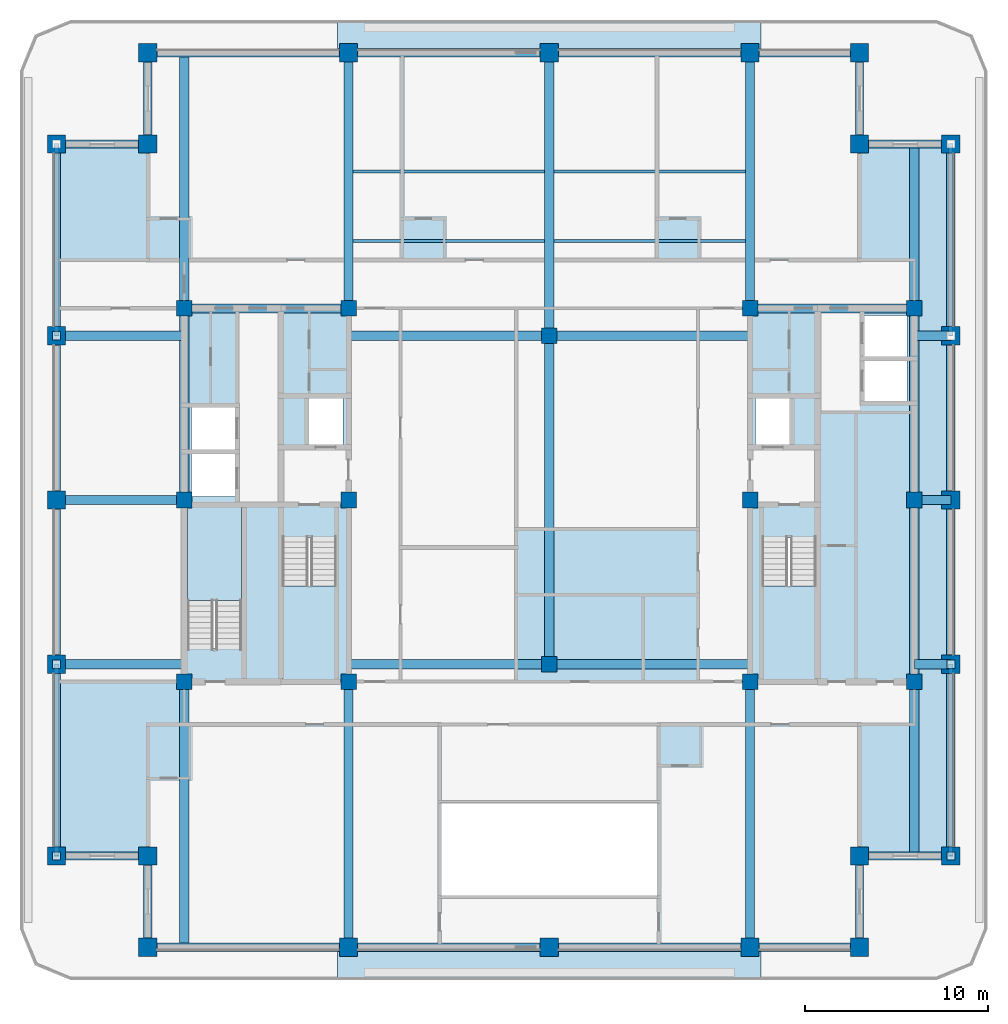
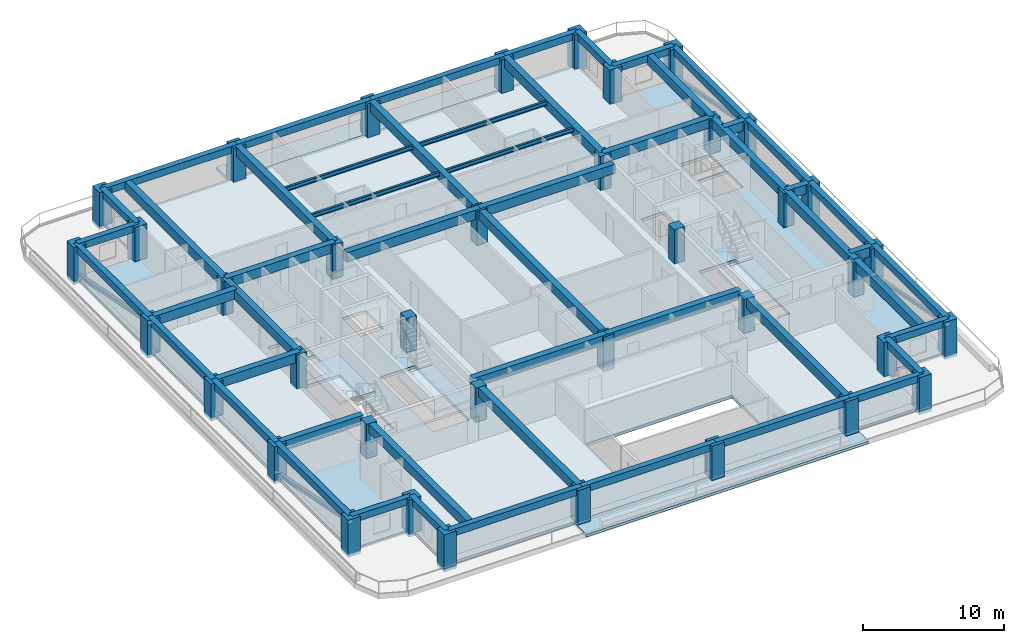
# One storey, part 1 of 13: 53 beams, 38 columns, 6 slabs, 5 plates, 4 members, 3 elements without a shape of their own.
"""IFC4 building model written with IfcOpenShell, lengths in metres."""

import ifcopenshell
import ifcopenshell.guid

model = None  # the IFC model being written
_history = None  # IfcOwnerHistory: only IFC2X3 demands one
_inside = {}  # id of a spatial element -> (the spatial element, [elements in it])
_under = {}  # id of a project, library or spatial element -> (it, [spatial elements below it])
_declared = {}  # id of a project -> (the project, [libraries it declares])
_typed = {}  # id of a type object -> (the type object, [elements of that type])
_made_of = {}  # id of a material, layer set ... -> (it, [elements and type objects made of it])


def new_model(schema):
    """Start an empty IFC model of exactly this schema.

    Asked for "IFC4X3", IfcOpenShell would pick the latest addendum, in which some entities
    have other attributes; the version numbers below select the first issue.
    IFC2X3 requires an IfcOwnerHistory on every rooted entity: one is made here for all.
    """
    global model, _history
    if schema == "IFC4X3":
        model = ifcopenshell.file(schema_version=(4, 3, 0, 0))
    else:
        model = ifcopenshell.file(schema=schema)
    _inside.clear()
    _under.clear()
    _declared.clear()
    _typed.clear()
    _made_of.clear()
    _history = None
    if model.schema == "IFC2X3":
        org = make("IfcOrganization", Name="unknown")
        user = make(
            "IfcPersonAndOrganization",
            ThePerson=make("IfcPerson", FamilyName="unknown"),
            TheOrganization=org,
        )
        app = make(
            "IfcApplication",
            ApplicationDeveloper=org,
            Version="unknown",
            ApplicationFullName="unknown",
            ApplicationIdentifier="unknown",
        )
        _history = make(
            "IfcOwnerHistory",
            OwningUser=user,
            OwningApplication=app,
            ChangeAction="ADDED",
            CreationDate=0,
        )
    return model


def make(cls, **values):
    """One entity of the class cls with the attributes given. An attribute that is None is left unset."""
    return model.create_entity(
        cls, **{name: value for name, value in values.items() if value is not None}
    )


def rooted(cls, **values):
    """An entity with a GlobalId (a new one), such as an element, a storey or a relation."""
    return make(cls, GlobalId=ifcopenshell.guid.new(), OwnerHistory=_history, **values)


def si_unit(unit_type, name, prefix=None):
    """IfcSIUnit, for example si_unit("LENGTHUNIT", "METRE", prefix="MILLI")."""
    return make("IfcSIUnit", UnitType=unit_type, Prefix=prefix, Name=name)


def assignment(units):
    """IfcUnitAssignment: the units of a project."""
    return None if units is None else make("IfcUnitAssignment", Units=units)


def point(xyz):
    """IfcCartesianPoint."""
    return None if xyz is None else make("IfcCartesianPoint", Coordinates=xyz)


def direction(xyz):
    """IfcDirection."""
    return None if xyz is None else make("IfcDirection", DirectionRatios=xyz)


def frame(location, z_axis=None, x_axis=None):
    """IfcAxis2Placement3D, a coordinate frame: its origin and axes. An axis left out is left unset."""
    return make(
        "IfcAxis2Placement3D",
        Location=point(location),
        Axis=direction(z_axis),
        RefDirection=direction(x_axis),
    )


def frame_2d(location, x_axis=None):
    """IfcAxis2Placement2D, a coordinate frame in the plane: its origin and x axis."""
    return make(
        "IfcAxis2Placement2D", Location=point(location), RefDirection=direction(x_axis)
    )


def origin():
    """The frame at (0, 0, 0) with its axes left unset."""
    return frame((0.0, 0.0, 0.0))


def origin_2d():
    """The frame at (0, 0) in the plane with its x axis left unset."""
    return frame_2d((0.0, 0.0))


def place(relative_to, where):
    """IfcLocalPlacement: puts the frame where relative to a parent placement (None: the world)."""
    return make(
        "IfcLocalPlacement", PlacementRelTo=relative_to, RelativePlacement=where
    )


def context(
    kind, dimensions, precision=None, world=None, true_north=None, identifier=None
):
    """IfcGeometricRepresentationContext, for example the 3D "Model" context."""
    return make(
        "IfcGeometricRepresentationContext",
        ContextIdentifier=identifier,
        ContextType=kind,
        CoordinateSpaceDimension=dimensions,
        Precision=precision,
        WorldCoordinateSystem=world,
        TrueNorth=true_north,
    )


def subcontext(parent, identifier, kind, view, scale=None):
    """IfcGeometricRepresentationSubContext, for example "Body" below "Model"."""
    return make(
        "IfcGeometricRepresentationSubContext",
        ContextIdentifier=identifier,
        ContextType=kind,
        ParentContext=parent,
        TargetScale=scale,
        TargetView=view,
    )


def project(units=None, contexts=None):
    """IfcProject with its units and contexts."""
    return rooted(
        "IfcProject",
        Name="project",
        RepresentationContexts=contexts,
        UnitsInContext=assignment(units),
    )


def spatial(cls, under=None, at=None, **own):
    """A site, building, storey or space (cls), placed at a placement, below another one or the project."""
    s = rooted(cls, ObjectPlacement=at, **own)
    if under is not None:
        _under.setdefault(under.id(), (under, []))[1].append(s)
    return s


def polyline(points):
    """IfcPolyline through the points."""
    return make("IfcPolyline", Points=[point(p) for p in points])


def profile(cls, at=None, kind="AREA", **sizes):
    """A parametric profile (cls). Its sizes go by their IFC names, for example OverallWidth=200.0."""
    return make(cls, ProfileType=kind, Position=at, **sizes)


def rectangle(**sizes):
    """IfcRectangleProfileDef."""
    return profile("IfcRectangleProfileDef", **sizes)


def hollow_rectangle(**sizes):
    """IfcRectangleHollowProfileDef."""
    return profile("IfcRectangleHollowProfileDef", **sizes)


def i_section(**sizes):
    """IfcIShapeProfileDef."""
    return profile("IfcIShapeProfileDef", **sizes)


def outline(outer, holes=None, kind="AREA"):
    """IfcArbitraryClosedProfileDef: a profile drawn as a closed curve; with holes, ...WithVoids."""
    if holes is None:
        return make("IfcArbitraryClosedProfileDef", ProfileType=kind, OuterCurve=outer)
    return make(
        "IfcArbitraryProfileDefWithVoids",
        ProfileType=kind,
        OuterCurve=outer,
        InnerCurves=holes,
    )


def extrude(swept, where, along, depth):
    """IfcExtrudedAreaSolid: the profile swept, set in the frame where, extruded along a direction by depth."""
    return make(
        "IfcExtrudedAreaSolid",
        SweptArea=swept,
        Position=where,
        ExtrudedDirection=direction(along),
        Depth=depth,
    )


def shape(context_of_items, identifier, shape_type, items):
    """IfcShapeRepresentation: the items that make up one representation, for example the "Body"."""
    return make(
        "IfcShapeRepresentation",
        ContextOfItems=context_of_items,
        RepresentationIdentifier=identifier,
        RepresentationType=shape_type,
        Items=items,
    )


def material(Name=None, Category=None):
    """IfcMaterial."""
    return make("IfcMaterial", Name=Name, Category=Category)


def layer(
    of_material, thickness, ventilated=None, Name=None, Category=None, Priority=None
):
    """IfcMaterialLayer: one layer of a wall or slab, of a material (None: an air gap)."""
    return make(
        "IfcMaterialLayer",
        Material=of_material,
        LayerThickness=thickness,
        IsVentilated=ventilated,
        Name=Name,
        Category=Category,
        Priority=Priority,
    )


def layer_set(layers, Name=None):
    """IfcMaterialLayerSet."""
    return make("IfcMaterialLayerSet", MaterialLayers=layers, LayerSetName=Name)


def material_profile(
    of_material, cross_section, Name=None, Category=None, Priority=None
):
    """IfcMaterialProfile: a cross section and its material."""
    return make(
        "IfcMaterialProfile",
        Name=Name,
        Material=of_material,
        Profile=cross_section,
        Priority=Priority,
        Category=Category,
    )


def profile_set(profiles, Name=None, composite=None):
    """IfcMaterialProfileSet."""
    return make(
        "IfcMaterialProfileSet",
        Name=Name,
        MaterialProfiles=profiles,
        CompositeProfile=composite,
    )


def made_of(thing, what):
    """Note that an element or type object is made of a material, layer set ...; save() writes the relation."""
    if what is not None:
        _made_of.setdefault(what.id(), (what, []))[1].append(thing)
    return thing


def type_object(cls, material=None, **own):
    """A type object (cls), such as IfcWallType, which elements share."""
    return made_of(rooted(cls, **own), material)


def element(
    cls,
    number,
    at=None,
    inside=None,
    cuts=None,
    type_object=None,
    material=None,
    context=None,
    identifier="Body",
    shape_type=None,
    held_by="IfcProductDefinitionShape",
    body=None,
    shapes=None,
    **own,
):
    """One element of the class cls, such as IfcWall. Its Tag is "e" and its number.

    at: its placement. inside: the storey or other place that contains it. cuts: it is an
    opening in that element (IfcRelVoidsElement). A single representation is given by context,
    identifier, shape_type and body (its items); several are given by shapes. held_by: the class
    of the entity that holds the representations. save() writes the other relations.
    """
    e = rooted(cls, Tag="e%d" % number, ObjectPlacement=at, **own)
    if body is not None:
        shapes = [shape(context, identifier, shape_type, body)]
    if shapes is not None:
        e.Representation = make(held_by, Representations=shapes)
    if inside is not None:
        _inside.setdefault(inside.id(), (inside, []))[1].append(e)
    if cuts is not None:
        rooted(
            "IfcRelVoidsElement", RelatingBuildingElement=cuts, RelatedOpeningElement=e
        )
    if type_object is not None:
        _typed.setdefault(type_object.id(), (type_object, []))[1].append(e)
    return made_of(e, material)


def aggregate(whole, parts):
    """IfcRelAggregates: a whole, such as a stair, and the parts it consists of."""
    return rooted("IfcRelAggregates", RelatingObject=whole, RelatedObjects=parts)


def save(model, path):
    """Write the relations noted so far, then the file.

    IfcRelAggregates (storeys below a building ...), IfcRelContainedInSpatialStructure (elements
    in a storey), IfcRelDefinesByType, IfcRelAssociatesMaterial and IfcRelDeclares: one each for
    every whole, place, type object, material and project.
    """
    for whole, parts in _under.values():
        aggregate(whole, parts)
    for where, things in _inside.values():
        rooted(
            "IfcRelContainedInSpatialStructure",
            RelatedElements=things,
            RelatingStructure=where,
        )
    for kind, things in _typed.values():
        rooted("IfcRelDefinesByType", RelatedObjects=things, RelatingType=kind)
    for what, things in _made_of.values():
        rooted("IfcRelAssociatesMaterial", RelatedObjects=things, RelatingMaterial=what)
    for by, libraries in _declared.values():
        rooted("IfcRelDeclares", RelatingContext=by, RelatedDefinitions=libraries)
    model.write(path)


model = new_model("IFC4")

# Units and contexts
model_context = context("Model", 3, precision=1e-05, world=origin(), true_north=direction((0.0, 1.0)))
body_context = subcontext(model_context, "Body", "Model", "MODEL_VIEW")
ifc_project = project(units=[si_unit("LENGTHUNIT", "METRE"), si_unit("AREAUNIT", "SQUARE_METRE"), si_unit("VOLUMEUNIT", "CUBIC_METRE"), si_unit("PLANEANGLEUNIT", "RADIAN"), si_unit("MASSUNIT", "GRAM", prefix="KILO")], contexts=[model_context])

# Site, building, storey
site_placement = place(None, origin())
site = spatial("IfcSite", under=ifc_project, at=site_placement, CompositionType="ELEMENT")
building_placement = place(site_placement, origin())
building = spatial("IfcBuilding", under=site, at=building_placement, Name="Zulmaris Gate Convention Tower", CompositionType="ELEMENT")
storey_placement = place(building_placement, frame((0.0, 0.0, 218.659912109375)))
storey = spatial("IfcBuildingStorey", under=building, at=storey_placement, Name="L57", CompositionType="ELEMENT", Elevation=218.659912109375)

# Columns
ifc_material_1 = material(Name="Concrete C60/75", Category="concrete")
ifc_material_profile_1 = material_profile(ifc_material_1, rectangle(XDim=1.0, YDim=1.0, at=origin_2d()), Name="RC COL 1000x1000")
ifc_profile_set_1 = profile_set([ifc_material_profile_1], Name="Concrete C60/75")
column_type_1 = type_object("IfcColumnType", Name="COL-RC1000", PredefinedType="COLUMN", material=ifc_profile_set_1)
for number, where, z_axis, x_axis, name in (
    (1, (-22.0, -24.5, -0.25), (0.0, 0.0, 1.0), (1.0, 0.0, 0.0), "L57 Column PT--22.00_-24.50"),
    (2, (-11.0, -24.5, -0.25), (0.0, 0.0, 1.0), (1.0, 0.0, 0.0), "L57 Column PT--11.00_-24.50"),
    (3, (0.0, -24.5, -0.25), (0.0, 0.0, 1.0), (1.0, 0.0, 0.0), "L57 Column PT-+0.00_-24.50"),
    (4, (11.0, -24.5, -0.25), (0.0, 0.0, 1.0), (1.0, 0.0, 0.0), "L57 Column PT-+11.00_-24.50"),
    (5, (17.0, -24.5, -0.25), (0.0, 0.0, 1.0), (1.0, 0.0, 0.0), "L57 Column PT-+17.00_-24.50"),
    (6, (-22.0, 24.5, -0.25), (0.0, 0.0, 1.0), (1.0, 0.0, 0.0), "L57 Column PT--22.00_+24.50"),
    (7, (-11.0, 24.5, -0.25), (0.0, 0.0, 1.0), (1.0, 0.0, 0.0), "L57 Column PT--11.00_+24.50"),
    (8, (0.0, 24.5, -0.25), (0.0, 0.0, 1.0), (1.0, 0.0, 0.0), "L57 Column PT-+0.00_+24.50"),
    (9, (11.0, 24.5, -0.25), (0.0, 0.0, 1.0), (1.0, 0.0, 0.0), "L57 Column PT-+11.00_+24.50"),
    (10, (17.0, 24.5, -0.25), (0.0, 0.0, 1.0), (1.0, 0.0, 0.0), "L57 Column PT-+17.00_+24.50"),
    (11, (-27.0, -19.5, -0.25), (0.0, 0.0, 1.0), (1.0, 0.0, 0.0), "L57 Column PT--27.00_-19.50"),
    (12, (-27.0, -9.0, -0.25), (0.0, 0.0, 1.0), (1.0, 0.0, 0.0), "L57 Column PT--27.00_-9.00"),
    (13, (-27.0, 0.0, -0.25), (0.0, 0.0, 1.0), (1.0, 0.0, 0.0), "L57 Column PT--27.00_+0.00"),
    (14, (-27.0, 9.0, -0.25), (0.0, 0.0, 1.0), (1.0, 0.0, 0.0), "L57 Column PT--27.00_+9.00"),
    (15, (-27.0, 19.5, -0.25), (0.0, 0.0, 1.0), (1.0, 0.0, 0.0), "L57 Column PT--27.00_+19.50"),
    (16, (22.0, -19.5, -0.25), (0.0, 0.0, 1.0), (1.0, 0.0, 0.0), "L57 Column PT-+22.00_-19.50"),
    (17, (22.0, -9.0, -0.25), (0.0, 0.0, 1.0), (1.0, 0.0, 0.0), "L57 Column PT-+22.00_-9.00"),
    (18, (22.0, 0.0, -0.25), (0.0, 0.0, 1.0), (1.0, 0.0, 0.0), "L57 Column PT-+22.00_+0.00"),
    (19, (22.0, 9.0, -0.25), (0.0, 0.0, 1.0), (1.0, 0.0, 0.0), "L57 Column PT-+22.00_+9.00"),
    (20, (22.0, 19.5, -0.25), (0.0, 0.0, 1.0), (1.0, 0.0, 0.0), "L57 Column PT-+22.00_+19.50"),
    (21, (-22.0, -19.5, -0.25), (0.0, 0.0, 1.0), (1.0, 0.0, 0.0), "L57 Column PT--22.00_-19.50"),
    (22, (17.0, -19.5, -0.25), (0.0, 0.0, 1.0), (1.0, 0.0, 0.0), "L57 Column PT-+17.00_-19.50"),
    (23, (17.0, 19.5, -0.25), (0.0, 0.0, 1.0), (1.0, 0.0, 0.0), "L57 Column PT-+17.00_+19.50"),
    (24, (-22.0, 19.5, -0.25), (0.0, 0.0, 1.0), (1.0, 0.0, 0.0), "L57 Column PT--22.00_+19.50"),
):
    element("IfcColumn", number, at=place(storey_placement, frame(where, z_axis=z_axis, x_axis=x_axis)), inside=storey, type_object=column_type_1, Name=name, PredefinedType="COLUMN", context=body_context, shape_type="SweptSolid", body=[
        extrude(rectangle(XDim=1.0, YDim=1.0, at=origin_2d()), origin(), (0.0, 0.0, 1.0), 3.22509765625),
    ])
ifc_material_profile_2 = material_profile(ifc_material_1, rectangle(XDim=0.85009765625, YDim=0.85009765625, at=origin_2d()), Name="RC COL 850x850")
ifc_profile_set_2 = profile_set([ifc_material_profile_2], Name="Concrete C60/75")
column_type_2 = type_object("IfcColumnType", Name="COL-RC850", PredefinedType="COLUMN", material=ifc_profile_set_2)
for number, where, z_axis, x_axis, name in (
    (25, (-20.0, -9.949951171875, -0.25), (0.0, 0.0, 1.0), (1.0, 0.0, 0.0), "L57 Column IN--20.00_-9.95"),
    (26, (-20.0, 10.5, -0.25), (0.0, 0.0, 1.0), (1.0, 0.0, 0.0), "L57 Column IN--20.00_+10.50"),
    (27, (-11.0, -9.949951171875, -0.25), (0.0, 0.0, 1.0), (1.0, 0.0, 0.0), "L57 Column IN--11.00_-9.95"),
    (28, (-11.0, 0.0, -0.25), (0.0, 0.0, 1.0), (1.0, 0.0, 0.0), "L57 Column IN--11.00_+0.00"),
    (29, (-11.0, 10.5, -0.25), (0.0, 0.0, 1.0), (1.0, 0.0, 0.0), "L57 Column IN--11.00_+10.50"),
    (30, (11.0, -9.949951171875, -0.25), (0.0, 0.0, 1.0), (1.0, 0.0, 0.0), "L57 Column IN-+11.00_-9.95"),
    (31, (11.0, 0.0, -0.25), (0.0, 0.0, 1.0), (1.0, 0.0, 0.0), "L57 Column IN-+11.00_+0.00"),
    (32, (11.0, 10.5, -0.25), (0.0, 0.0, 1.0), (1.0, 0.0, 0.0), "L57 Column IN-+11.00_+10.50"),
    (33, (20.0, -9.949951171875, -0.25), (0.0, 0.0, 1.0), (1.0, 0.0, 0.0), "L57 Column IN-+20.00_-9.95"),
    (34, (20.0, 10.5, -0.25), (0.0, 0.0, 1.0), (1.0, 0.0, 0.0), "L57 Column IN-+20.00_+10.50"),
    (35, (0.0, -9.0, -0.25), (0.0, 0.0, 1.0), (1.0, 0.0, 0.0), "L57 Column IN-+0.00_-9.00"),
    (36, (0.0, 9.0, -0.25), (0.0, 0.0, 1.0), (1.0, 0.0, 0.0), "L57 Column IN-+0.00_+9.00"),
    (37, (-20.0, 0.0, -0.25), (0.0, 0.0, 1.0), (1.0, 0.0, 0.0), "L57 Column IN--20.00_+0.00"),
    (38, (20.0, 0.0, -0.25), (0.0, 0.0, 1.0), (1.0, 0.0, 0.0), "L57 Column IN-+20.00_+0.00"),
):
    element("IfcColumn", number, at=place(storey_placement, frame(where, z_axis=z_axis, x_axis=x_axis)), inside=storey, type_object=column_type_2, Name=name, PredefinedType="COLUMN", context=body_context, shape_type="SweptSolid", body=[
        extrude(rectangle(XDim=0.85009765625, YDim=0.85009765625, at=origin_2d()), origin(), (0.0, 0.0, 1.0), 3.22509765625),
    ])

# Beams
ifc_material_2 = material(Name="Concrete C50/60", Category="concrete")
ifc_material_profile_3 = material_profile(ifc_material_2, rectangle(XDim=0.5, YDim=0.800048828125, at=origin_2d()), Name="RC BEAM 500x800")
ifc_profile_set_3 = profile_set([ifc_material_profile_3], Name="Concrete C50/60")
beam_type_1 = type_object("IfcBeamType", Name="BM-RC500x800", PredefinedType="BEAM", material=ifc_profile_set_3)
for number, where, z_axis, x_axis, name in (
    (39, (-11.0, -9.0, 2.5751953125), (1.0, 0.0, 0.0), (0.0, 1.0, 0.0), "L57 Beam BM-L57-G01"),
    (40, (0.0, -9.0, 2.5751953125), (1.0, 0.0, 0.0), (0.0, 1.0, 0.0), "L57 Beam BM-L57-G02"),
    (41, (-11.0, 9.0, 2.5751953125), (1.0, 0.0, 0.0), (0.0, 1.0, 0.0), "L57 Beam BM-L57-G03"),
    (42, (0.0, 9.0, 2.5751953125), (1.0, 0.0, 0.0), (0.0, 1.0, 0.0), "L57 Beam BM-L57-G04"),
):
    element("IfcBeam", number, at=place(storey_placement, frame(where, z_axis=z_axis, x_axis=x_axis)), inside=storey, type_object=beam_type_1, Name=name, PredefinedType="BEAM", context=body_context, shape_type="SweptSolid", body=[
        extrude(rectangle(XDim=0.5, YDim=0.800048828125, at=origin_2d()), origin(), (0.0, 0.0, 1.0), 11.0),
    ])
beam_1_placement = place(storey_placement, frame((0.0, -9.0, 2.5751953125), z_axis=(0.0, 1.0, 0.0), x_axis=(-1.0, 0.0, 0.0)))
element("IfcBeam", 43, at=beam_1_placement, inside=storey, type_object=beam_type_1, Name="L57 Beam BM-L57-G06", PredefinedType="BEAM", context=body_context, shape_type="SweptSolid", body=[
    extrude(rectangle(XDim=0.5, YDim=0.800048828125, at=origin_2d()), origin(), (0.0, 0.0, 1.0), 18.0),
])
beam_2_placement = place(storey_placement, frame((0.0, 9.0, 2.5751953125), z_axis=(0.0, 1.0, 0.0), x_axis=(-1.0, 0.0, 0.0)))
element("IfcBeam", 44, at=beam_2_placement, inside=storey, type_object=beam_type_1, Name="L57 Beam BM-L57-G07", PredefinedType="BEAM", context=body_context, shape_type="SweptSolid", body=[
    extrude(rectangle(XDim=0.5, YDim=0.800048828125, at=origin_2d()), origin(), (0.0, 0.0, 1.0), 15.5),
])
beam_3_placement = place(storey_placement, frame((-11.0, -24.5, 2.5751953125), z_axis=(0.0, 1.0, 0.0), x_axis=(-1.0, 0.0, 0.0)))
element("IfcBeam", 45, at=beam_3_placement, inside=storey, type_object=beam_type_1, Name="L57 Beam BM-L57-G08", PredefinedType="BEAM", context=body_context, shape_type="SweptSolid", body=[
    extrude(rectangle(XDim=0.5, YDim=0.800048828125, at=origin_2d()), origin(), (0.0, 0.0, 1.0), 14.550048828125),
])
beam_4_placement = place(storey_placement, frame((-11.0, 10.5, 2.5751953125), z_axis=(0.0, 1.0, 0.0), x_axis=(-1.0, 0.0, 0.0)))
element("IfcBeam", 46, at=beam_4_placement, inside=storey, type_object=beam_type_1, Name="L57 Beam BM-L57-G09", PredefinedType="BEAM", context=body_context, shape_type="SweptSolid", body=[
    extrude(rectangle(XDim=0.5, YDim=0.800048828125, at=origin_2d()), origin(), (0.0, 0.0, 1.0), 14.0),
])
beam_5_placement = place(storey_placement, frame((11.0, -24.5, 2.5751953125), z_axis=(0.0, 1.0, 0.0), x_axis=(-1.0, 0.0, 0.0)))
element("IfcBeam", 47, at=beam_5_placement, inside=storey, type_object=beam_type_1, Name="L57 Beam BM-L57-G10", PredefinedType="BEAM", context=body_context, shape_type="SweptSolid", body=[
    extrude(rectangle(XDim=0.5, YDim=0.800048828125, at=origin_2d()), origin(), (0.0, 0.0, 1.0), 14.550048828125),
])
beam_6_placement = place(storey_placement, frame((11.0, 10.5, 2.5751953125), z_axis=(0.0, 1.0, 0.0), x_axis=(-1.0, 0.0, 0.0)))
element("IfcBeam", 48, at=beam_6_placement, inside=storey, type_object=beam_type_1, Name="L57 Beam BM-L57-G11", PredefinedType="BEAM", context=body_context, shape_type="SweptSolid", body=[
    extrude(rectangle(XDim=0.5, YDim=0.800048828125, at=origin_2d()), origin(), (0.0, 0.0, 1.0), 14.0),
])
beam_7_placement = place(storey_placement, frame((-20.0, -24.5, 2.5751953125), z_axis=(0.0, 1.0, 0.0), x_axis=(-1.0, 0.0, 0.0)))
element("IfcBeam", 49, at=beam_7_placement, inside=storey, type_object=beam_type_1, Name="L57 Beam BM-L57-G12", PredefinedType="BEAM", context=body_context, shape_type="SweptSolid", body=[
    extrude(rectangle(XDim=0.5, YDim=0.800048828125, at=origin_2d()), origin(), (0.0, 0.0, 1.0), 14.550048828125),
])
beam_8_placement = place(storey_placement, frame((-20.0, 10.5, 2.5751953125), z_axis=(0.0, 1.0, 0.0), x_axis=(-1.0, 0.0, 0.0)))
element("IfcBeam", 50, at=beam_8_placement, inside=storey, type_object=beam_type_1, Name="L57 Beam BM-L57-G13", PredefinedType="BEAM", context=body_context, shape_type="SweptSolid", body=[
    extrude(rectangle(XDim=0.5, YDim=0.800048828125, at=origin_2d()), origin(), (0.0, 0.0, 1.0), 14.0),
])
beam_9_placement = place(storey_placement, frame((20.0, -19.5, 2.5751953125), z_axis=(0.0, 1.0, 0.0), x_axis=(-1.0, 0.0, 0.0)))
element("IfcBeam", 51, at=beam_9_placement, inside=storey, type_object=beam_type_1, Name="L57 Beam BM-L57-G14", PredefinedType="BEAM", context=body_context, shape_type="SweptSolid", body=[
    extrude(rectangle(XDim=0.5, YDim=0.800048828125, at=origin_2d()), origin(), (0.0, 0.0, 1.0), 9.550048828125),
])
beam_10_placement = place(storey_placement, frame((20.0, 10.5, 2.5751953125), z_axis=(0.0, 1.0, 0.0), x_axis=(-1.0, 0.0, 0.0)))
element("IfcBeam", 52, at=beam_10_placement, inside=storey, type_object=beam_type_1, Name="L57 Beam BM-L57-G15", PredefinedType="BEAM", context=body_context, shape_type="SweptSolid", body=[
    extrude(rectangle(XDim=0.5, YDim=0.800048828125, at=origin_2d()), origin(), (0.0, 0.0, 1.0), 9.0),
])
for number, where, z_axis, x_axis, name in (
    (53, (-27.0, -9.0, 2.5751953125), (1.0, 0.0, 0.0), (0.0, 1.0, 0.0), "L57 Beam BM-L57-G16"),
    (54, (-27.0, 0.0, 2.5751953125), (1.0, 0.0, 0.0), (0.0, 1.0, 0.0), "L57 Beam BM-L57-G17"),
    (55, (-27.0, 9.0, 2.5751953125), (1.0, 0.0, 0.0), (0.0, 1.0, 0.0), "L57 Beam BM-L57-G18"),
):
    element("IfcBeam", number, at=place(storey_placement, frame(where, z_axis=z_axis, x_axis=x_axis)), inside=storey, type_object=beam_type_1, Name=name, PredefinedType="BEAM", context=body_context, shape_type="SweptSolid", body=[
        extrude(rectangle(XDim=0.5, YDim=0.800048828125, at=origin_2d()), origin(), (0.0, 0.0, 1.0), 7.0),
    ])
for number, where, z_axis, x_axis, name in (
    (56, (20.0, -9.0, 2.5751953125), (1.0, 0.0, 0.0), (0.0, 1.0, 0.0), "L57 Beam BM-L57-G19"),
    (57, (20.0, 0.0, 2.5751953125), (1.0, 0.0, 0.0), (0.0, 1.0, 0.0), "L57 Beam BM-L57-G20"),
    (58, (20.0, 9.0, 2.5751953125), (1.0, 0.0, 0.0), (0.0, 1.0, 0.0), "L57 Beam BM-L57-G21"),
):
    element("IfcBeam", number, at=place(storey_placement, frame(where, z_axis=z_axis, x_axis=x_axis)), inside=storey, type_object=beam_type_1, Name=name, PredefinedType="BEAM", context=body_context, shape_type="SweptSolid", body=[
        extrude(rectangle(XDim=0.5, YDim=0.800048828125, at=origin_2d()), origin(), (0.0, 0.0, 1.0), 2.0),
    ])
for number, where, z_axis, x_axis, name in (
    (59, (-20.0, 10.5, 2.5751953125), (1.0, 0.0, 0.0), (0.0, 1.0, 0.0), "L57 Beam BM-L57-G23"),
    (60, (11.0, 10.5, 2.5751953125), (1.0, 0.0, 0.0), (0.0, 1.0, 0.0), "L57 Beam BM-L57-G25"),
):
    element("IfcBeam", number, at=place(storey_placement, frame(where, z_axis=z_axis, x_axis=x_axis)), inside=storey, type_object=beam_type_1, Name=name, PredefinedType="BEAM", context=body_context, shape_type="SweptSolid", body=[
        extrude(rectangle(XDim=0.5, YDim=0.800048828125, at=origin_2d()), origin(), (0.0, 0.0, 1.0), 9.0),
    ])
beam_11_placement = place(storey_placement, frame((-20.0, 0.0, 2.5751953125), z_axis=(0.0, 1.0, 0.0), x_axis=(-1.0, 0.0, 0.0)))
element("IfcBeam", 61, at=beam_11_placement, inside=storey, type_object=beam_type_1, Name="L57 Beam BM-L57-G27", PredefinedType="BEAM", context=body_context, shape_type="SweptSolid", body=[
    extrude(rectangle(XDim=0.5, YDim=0.800048828125, at=origin_2d()), origin(), (0.0, 0.0, 1.0), 10.5),
])
beam_12_placement = place(storey_placement, frame((20.0, -9.949951171875, 2.5751953125), z_axis=(0.0, 1.0, 0.0), x_axis=(-1.0, 0.0, 0.0)))
element("IfcBeam", 62, at=beam_12_placement, inside=storey, type_object=beam_type_1, Name="L57 Beam BM-L57-G28", PredefinedType="BEAM", context=body_context, shape_type="SweptSolid", body=[
    extrude(rectangle(XDim=0.5, YDim=0.800048828125, at=origin_2d()), origin(), (0.0, 0.0, 1.0), 9.949951171875),
])
beam_13_placement = place(storey_placement, frame((20.0, 0.0, 2.5751953125), z_axis=(0.0, 1.0, 0.0), x_axis=(-1.0, 0.0, 0.0)))
element("IfcBeam", 63, at=beam_13_placement, inside=storey, type_object=beam_type_1, Name="L57 Beam BM-L57-G29", PredefinedType="BEAM", context=body_context, shape_type="SweptSolid", body=[
    extrude(rectangle(XDim=0.5, YDim=0.800048828125, at=origin_2d()), origin(), (0.0, 0.0, 1.0), 10.5),
])
ifc_material_3 = material(Name="Precast concrete C50/60", Category="concrete")
ifc_material_profile_4 = material_profile(ifc_material_3, rectangle(XDim=0.449951171875, YDim=0.60009765625, at=origin_2d()), Name="RC SPANDREL 450x600")
ifc_profile_set_4 = profile_set([ifc_material_profile_4], Name="Precast concrete C50/60")
beam_type_2 = type_object("IfcBeamType", Name="BM-SP450x600", PredefinedType="SPANDREL", material=ifc_profile_set_4)
for number, where, z_axis, x_axis, name in (
    (64, (-22.0, -24.5, 2.67529296875), (1.0, 0.0, 0.0), (0.0, 1.0, 0.0), "L57 Spandrel SP-L57-01"),
    (65, (-11.0, -24.5, 2.67529296875), (1.0, 0.0, 0.0), (0.0, 1.0, 0.0), "L57 Spandrel SP-L57-02"),
    (66, (0.0, -24.5, 2.67529296875), (1.0, 0.0, 0.0), (0.0, 1.0, 0.0), "L57 Spandrel SP-L57-03"),
):
    element("IfcBeam", number, at=place(storey_placement, frame(where, z_axis=z_axis, x_axis=x_axis)), inside=storey, type_object=beam_type_2, Name=name, PredefinedType="SPANDREL", context=body_context, shape_type="SweptSolid", body=[
        extrude(rectangle(XDim=0.449951171875, YDim=0.60009765625, at=origin_2d()), origin(), (0.0, 0.0, 1.0), 11.0),
    ])
beam_14_placement = place(storey_placement, frame((11.0, -24.5, 2.67529296875), z_axis=(1.0, 0.0, 0.0), x_axis=(0.0, 1.0, 0.0)))
element("IfcBeam", 67, at=beam_14_placement, inside=storey, type_object=beam_type_2, Name="L57 Spandrel SP-L57-04", PredefinedType="SPANDREL", context=body_context, shape_type="SweptSolid", body=[
    extrude(rectangle(XDim=0.449951171875, YDim=0.60009765625, at=origin_2d()), origin(), (0.0, 0.0, 1.0), 6.0),
])
for number, where, z_axis, x_axis, name in (
    (68, (17.0, -24.5, 2.67529296875), (0.0, 1.0, 0.0), (-1.0, 0.0, 0.0), "L57 Spandrel SP-L57-05"),
    (69, (17.0, -19.5, 2.67529296875), (1.0, 0.0, 0.0), (0.0, 1.0, 0.0), "L57 Spandrel SP-L57-06"),
):
    element("IfcBeam", number, at=place(storey_placement, frame(where, z_axis=z_axis, x_axis=x_axis)), inside=storey, type_object=beam_type_2, Name=name, PredefinedType="SPANDREL", context=body_context, shape_type="SweptSolid", body=[
        extrude(rectangle(XDim=0.449951171875, YDim=0.60009765625, at=origin_2d()), origin(), (0.0, 0.0, 1.0), 5.0),
    ])
beam_15_placement = place(storey_placement, frame((22.0, -19.5, 2.67529296875), z_axis=(0.0, 1.0, 0.0), x_axis=(-1.0, 0.0, 0.0)))
element("IfcBeam", 70, at=beam_15_placement, inside=storey, type_object=beam_type_2, Name="L57 Spandrel SP-L57-07", PredefinedType="SPANDREL", context=body_context, shape_type="SweptSolid", body=[
    extrude(rectangle(XDim=0.449951171875, YDim=0.60009765625, at=origin_2d()), origin(), (0.0, 0.0, 1.0), 10.5),
])
for number, where, z_axis, x_axis, name in (
    (71, (22.0, -9.0, 2.67529296875), (0.0, 1.0, 0.0), (-1.0, 0.0, 0.0), "L57 Spandrel SP-L57-08"),
    (72, (22.0, 0.0, 2.67529296875), (0.0, 1.0, 0.0), (-1.0, 0.0, 0.0), "L57 Spandrel SP-L57-09"),
):
    element("IfcBeam", number, at=place(storey_placement, frame(where, z_axis=z_axis, x_axis=x_axis)), inside=storey, type_object=beam_type_2, Name=name, PredefinedType="SPANDREL", context=body_context, shape_type="SweptSolid", body=[
        extrude(rectangle(XDim=0.449951171875, YDim=0.60009765625, at=origin_2d()), origin(), (0.0, 0.0, 1.0), 9.0),
    ])
beam_16_placement = place(storey_placement, frame((22.0, 9.0, 2.67529296875), z_axis=(0.0, 1.0, 0.0), x_axis=(-1.0, 0.0, 0.0)))
element("IfcBeam", 73, at=beam_16_placement, inside=storey, type_object=beam_type_2, Name="L57 Spandrel SP-L57-10", PredefinedType="SPANDREL", context=body_context, shape_type="SweptSolid", body=[
    extrude(rectangle(XDim=0.449951171875, YDim=0.60009765625, at=origin_2d()), origin(), (0.0, 0.0, 1.0), 10.5),
])
for number, where, z_axis, x_axis, name in (
    (74, (22.0, 19.5, 2.67529296875), (-1.0, 0.0, 0.0), (0.0, -1.0, 0.0), "L57 Spandrel SP-L57-11"),
    (75, (17.0, 19.5, 2.67529296875), (0.0, 1.0, 0.0), (-1.0, 0.0, 0.0), "L57 Spandrel SP-L57-12"),
):
    element("IfcBeam", number, at=place(storey_placement, frame(where, z_axis=z_axis, x_axis=x_axis)), inside=storey, type_object=beam_type_2, Name=name, PredefinedType="SPANDREL", context=body_context, shape_type="SweptSolid", body=[
        extrude(rectangle(XDim=0.449951171875, YDim=0.60009765625, at=origin_2d()), origin(), (0.0, 0.0, 1.0), 5.0),
    ])
beam_17_placement = place(storey_placement, frame((17.0, 24.5, 2.67529296875), z_axis=(-1.0, 0.0, 0.0), x_axis=(0.0, -1.0, 0.0)))
element("IfcBeam", 76, at=beam_17_placement, inside=storey, type_object=beam_type_2, Name="L57 Spandrel SP-L57-13", PredefinedType="SPANDREL", context=body_context, shape_type="SweptSolid", body=[
    extrude(rectangle(XDim=0.449951171875, YDim=0.60009765625, at=origin_2d()), origin(), (0.0, 0.0, 1.0), 6.0),
])
for number, where, z_axis, x_axis, name in (
    (77, (11.0, 24.5, 2.67529296875), (-1.0, 0.0, 0.0), (0.0, -1.0, 0.0), "L57 Spandrel SP-L57-14"),
    (78, (0.0, 24.5, 2.67529296875), (-1.0, 0.0, 0.0), (0.0, -1.0, 0.0), "L57 Spandrel SP-L57-15"),
    (79, (-11.0, 24.5, 2.67529296875), (-1.0, 0.0, 0.0), (0.0, -1.0, 0.0), "L57 Spandrel SP-L57-16"),
):
    element("IfcBeam", number, at=place(storey_placement, frame(where, z_axis=z_axis, x_axis=x_axis)), inside=storey, type_object=beam_type_2, Name=name, PredefinedType="SPANDREL", context=body_context, shape_type="SweptSolid", body=[
        extrude(rectangle(XDim=0.449951171875, YDim=0.60009765625, at=origin_2d()), origin(), (0.0, 0.0, 1.0), 11.0),
    ])
for number, where, z_axis, x_axis, name in (
    (80, (-22.0, 24.5, 2.67529296875), (0.0, -1.0, 0.0), (1.0, 0.0, 0.0), "L57 Spandrel SP-L57-17"),
    (81, (-22.0, 19.5, 2.67529296875), (-1.0, 0.0, 0.0), (0.0, -1.0, 0.0), "L57 Spandrel SP-L57-18"),
):
    element("IfcBeam", number, at=place(storey_placement, frame(where, z_axis=z_axis, x_axis=x_axis)), inside=storey, type_object=beam_type_2, Name=name, PredefinedType="SPANDREL", context=body_context, shape_type="SweptSolid", body=[
        extrude(rectangle(XDim=0.449951171875, YDim=0.60009765625, at=origin_2d()), origin(), (0.0, 0.0, 1.0), 5.0),
    ])
beam_18_placement = place(storey_placement, frame((-27.0, 19.5, 2.67529296875), z_axis=(0.0, -1.0, 0.0), x_axis=(1.0, 0.0, 0.0)))
element("IfcBeam", 82, at=beam_18_placement, inside=storey, type_object=beam_type_2, Name="L57 Spandrel SP-L57-19", PredefinedType="SPANDREL", context=body_context, shape_type="SweptSolid", body=[
    extrude(rectangle(XDim=0.449951171875, YDim=0.60009765625, at=origin_2d()), origin(), (0.0, 0.0, 1.0), 10.5),
])
for number, where, z_axis, x_axis, name in (
    (83, (-27.0, 9.0, 2.67529296875), (0.0, -1.0, 0.0), (1.0, 0.0, 0.0), "L57 Spandrel SP-L57-20"),
    (84, (-27.0, 0.0, 2.67529296875), (0.0, -1.0, 0.0), (1.0, 0.0, 0.0), "L57 Spandrel SP-L57-21"),
):
    element("IfcBeam", number, at=place(storey_placement, frame(where, z_axis=z_axis, x_axis=x_axis)), inside=storey, type_object=beam_type_2, Name=name, PredefinedType="SPANDREL", context=body_context, shape_type="SweptSolid", body=[
        extrude(rectangle(XDim=0.449951171875, YDim=0.60009765625, at=origin_2d()), origin(), (0.0, 0.0, 1.0), 9.0),
    ])
beam_19_placement = place(storey_placement, frame((-27.0, -9.0, 2.67529296875), z_axis=(0.0, -1.0, 0.0), x_axis=(1.0, 0.0, 0.0)))
element("IfcBeam", 85, at=beam_19_placement, inside=storey, type_object=beam_type_2, Name="L57 Spandrel SP-L57-22", PredefinedType="SPANDREL", context=body_context, shape_type="SweptSolid", body=[
    extrude(rectangle(XDim=0.449951171875, YDim=0.60009765625, at=origin_2d()), origin(), (0.0, 0.0, 1.0), 10.5),
])
for number, where, z_axis, x_axis, name in (
    (86, (-27.0, -19.5, 2.67529296875), (1.0, 0.0, 0.0), (0.0, 1.0, 0.0), "L57 Spandrel SP-L57-23"),
    (87, (-22.0, -19.5, 2.67529296875), (0.0, -1.0, 0.0), (1.0, 0.0, 0.0), "L57 Spandrel SP-L57-24"),
):
    element("IfcBeam", number, at=place(storey_placement, frame(where, z_axis=z_axis, x_axis=x_axis)), inside=storey, type_object=beam_type_2, Name=name, PredefinedType="SPANDREL", context=body_context, shape_type="SweptSolid", body=[
        extrude(rectangle(XDim=0.449951171875, YDim=0.60009765625, at=origin_2d()), origin(), (0.0, 0.0, 1.0), 5.0),
    ])

# Members
ifc_material_4 = material(Name="Steel S355", Category="steel")
ifc_material_profile_5 = material_profile(ifc_material_4, hollow_rectangle(XDim=0.25, YDim=0.25, WallThickness=0.012451171875, at=origin_2d()), Name="SHS 250x250x12.5")
ifc_profile_set_5 = profile_set([ifc_material_profile_5], Name="Steel S355")
member_type = type_object("IfcMemberType", Name="BR-SHS250", PredefinedType="BRACE", material=ifc_profile_set_5)
for number, where, z_axis, x_axis, name in (
    (88, (-27.0, -9.0, 0.300048828125), (0.0, -0.981378069793, 0.192086137266), (1.0, 0.0, 0.0), "L57 Perimeter Tube Diagonal SW-W"),
    (89, (-27.0, 19.5, 0.300048828125), (0.0, -0.981378069793, 0.192086137266), (1.0, 0.0, 0.0), "L57 Perimeter Tube Diagonal NW-W"),
    (90, (22.0, -9.0, 0.300048828125), (0.0, -0.981378069793, 0.192086137266), (1.0, 0.0, 0.0), "L57 Perimeter Tube Diagonal SE-E"),
    (91, (22.0, 19.5, 0.300048828125), (0.0, -0.981378069793, 0.192086137266), (1.0, 0.0, 0.0), "L57 Perimeter Tube Diagonal NE-E"),
):
    element("IfcMember", number, at=place(storey_placement, frame(where, z_axis=z_axis, x_axis=x_axis)), inside=storey, type_object=member_type, Name=name, PredefinedType="BRACE", context=body_context, shape_type="SweptSolid", body=[
        extrude(hollow_rectangle(XDim=0.25, YDim=0.25, WallThickness=0.012451171875, at=origin_2d()), origin(), (0.0, 0.0, 1.0), 10.69921875),
    ])

# Beams
ifc_material_profile_6 = material_profile(ifc_material_4, i_section(OverallWidth=0.169921875, OverallDepth=0.360107421875, WebThickness=0.008056640625, FlangeThickness=0.0126953125, FilletRadius=0.01806640625, at=origin_2d()), Name="IPE 360")
ifc_profile_set_6 = profile_set([ifc_material_profile_6], Name="Steel S355")
beam_type_3 = type_object("IfcBeamType", Name="JT-IPE360", PredefinedType="JOIST", material=ifc_profile_set_6)
for number, where, z_axis, x_axis, name in (
    (92, (-10.75, 14.199951171875, 2.793212890625), (1.0, 0.0, 0.0), (0.0, 1.0, 0.0), "L57 Joist JT-L57-CW-+14.2"),
    (93, (0.25, 14.199951171875, 2.793212890625), (1.0, 0.0, 0.0), (0.0, 1.0, 0.0), "L57 Joist JT-L57-CE-+14.2"),
    (94, (-10.75, 18.0, 2.793212890625), (1.0, 0.0, 0.0), (0.0, 1.0, 0.0), "L57 Joist JT-L57-CW-+18.0"),
    (95, (0.25, 18.0, 2.793212890625), (1.0, 0.0, 0.0), (0.0, 1.0, 0.0), "L57 Joist JT-L57-CE-+18.0"),
):
    element("IfcBeam", number, at=place(storey_placement, frame(where, z_axis=z_axis, x_axis=x_axis)), inside=storey, type_object=beam_type_3, Name=name, PredefinedType="JOIST", context=body_context, shape_type="SweptSolid", body=[
        extrude(i_section(OverallWidth=0.169921875, OverallDepth=0.360107421875, WebThickness=0.008056640625, FlangeThickness=0.0126953125, FilletRadius=0.01806640625, at=origin_2d()), origin(), (0.0, 0.0, 1.0), 10.5),
    ])

# Plates
ifc_material_5 = material(Name="Steel S460", Category="steel")
ifc_layer_1 = layer(ifc_material_5, 0.02490234375, Name="Steel S460")
ifc_layer_set_1 = layer_set([ifc_layer_1], Name="Steel S460")
plate_type = type_object("IfcPlateType", Name="NP-CAP-440", PredefinedType="USERDEFINED", material=ifc_layer_set_1)
for number, where, z_axis, x_axis, name in (
    (96, (-27.0, -9.0, 0.28759765625), (0.0, 0.0, 1.0), (1.0, 0.0, 0.0), "L57 Steel Node Plate PBR-L57-SW-W-CAP"),
    (97, (-27.0, -19.5, 2.3427734375), (0.0, 0.0, 1.0), (1.0, 0.0, 0.0), "L57 Steel Node Plate PBR-L57-SW-W-CAPB"),
    (98, (-27.0, 9.0, 2.3427734375), (0.0, 0.0, 1.0), (1.0, 0.0, 0.0), "L57 Steel Node Plate PBR-L57-NW-W-CAPB"),
    (99, (22.0, -9.0, 0.28759765625), (0.0, 0.0, 1.0), (1.0, 0.0, 0.0), "L57 Steel Node Plate PBR-L57-SE-E-CAP"),
    (100, (22.0, -19.5, 2.3427734375), (0.0, 0.0, 1.0), (1.0, 0.0, 0.0), "L57 Steel Node Plate PBR-L57-SE-E-CAPB"),
):
    element("IfcPlate", number, at=place(storey_placement, frame(where, z_axis=z_axis, x_axis=x_axis)), inside=storey, type_object=plate_type, Name=name, ObjectType="FLANGE PLATE", PredefinedType="USERDEFINED", context=body_context, shape_type="SweptSolid", body=[
        extrude(rectangle(XDim=0.43994140625, YDim=0.43994140625, at=origin_2d()), origin(), (0.0, 0.0, 1.0), 0.02490234375),
    ])

# Slabs
ifc_layer_2 = layer(ifc_material_3, 0.239990234375, Name="Precast concrete C50/60")
ifc_layer_set_2 = layer_set([ifc_layer_2], Name="Precast concrete C50/60")
slab_type_1 = type_object("IfcSlabType", Name="SL-BAL-240", PredefinedType="FLOOR", material=ifc_layer_set_2)
slab_1_placement = place(storey_placement, frame((0.0, 0.0, -0.25)))
element("IfcSlab", 101, at=slab_1_placement, inside=storey, type_object=slab_type_1, Name="L57 South Tree-Balcony Planter Slab", PredefinedType="FLOOR", context=body_context, shape_type="SweptSolid", body=[
    extrude(outline(polyline([(-11.597900390625, -26.300048828125), (-11.597900390625, -24.5), (11.597900390625, -24.5), (11.597900390625, -26.300048828125), (-11.597900390625, -26.300048828125)])), origin(), (0.0, 0.0, 1.0), 0.239990234375),
])
slab_2_placement = place(storey_placement, frame((0.0, 0.0, -0.25)))
element("IfcSlab", 102, at=slab_2_placement, inside=storey, type_object=slab_type_1, Name="L57 North Tree-Balcony Planter Slab", PredefinedType="FLOOR", context=body_context, shape_type="SweptSolid", body=[
    extrude(outline(polyline([(11.597900390625, 26.300048828125), (11.597900390625, 24.5), (-11.597900390625, 24.5), (-11.597900390625, 26.300048828125), (11.597900390625, 26.300048828125)])), origin(), (0.0, 0.0, 1.0), 0.239990234375),
])
ifc_layer_3 = layer(ifc_material_2, 0.25, Name="Concrete C50/60")
ifc_layer_set_3 = layer_set([ifc_layer_3], Name="Concrete C50/60")
slab_type_2 = type_object("IfcSlabType", Name="SL-FLR-250", PredefinedType="FLOOR", material=ifc_layer_set_3)
slab_3_placement = place(storey_placement, frame((0.0, 0.0, -0.25)))
element("IfcSlab", 103, at=slab_3_placement, inside=storey, type_object=slab_type_2, Name="L57 Shifted Notched-Square Structural Floor Slab", PredefinedType="FLOOR", context=body_context, shape_type="SweptSolid", body=[
    extrude(outline(polyline([(-22.0, -24.5), (17.0, -24.5), (17.0, -19.5), (22.0, -19.5), (22.0, 19.5), (17.0, 19.5), (17.0, 24.5), (-22.0, 24.5), (-22.0, 19.5), (-27.0, 19.5), (-27.0, -19.5), (-22.0, -19.5), (-22.0, -24.5)]), holes=[polyline([(-14.6201171875, -2.080078125), (-14.6201171875, -9.85009765625), (-11.659912109375, -9.85009765625), (-11.659912109375, -2.080078125), (-14.6201171875, -2.080078125)]), polyline([(11.659912109375, -2.080078125), (11.659912109375, -9.85009765625), (14.6201171875, -9.85009765625), (14.6201171875, -2.080078125), (11.659912109375, -2.080078125)]), polyline([(-16.860107421875, -8.1201171875), (-16.860107421875, -0.35009765625), (-19.820068359375, -0.35009765625), (-19.820068359375, -8.1201171875), (-16.860107421875, -8.1201171875)]), polyline([(-13.199951171875, 3.0), (-11.300048828125, 3.0), (-11.300048828125, 5.60009765625), (-13.199951171875, 5.60009765625), (-13.199951171875, 3.0)]), polyline([(11.300048828125, 3.0), (13.199951171875, 3.0), (13.199951171875, 5.60009765625), (11.300048828125, 5.60009765625), (11.300048828125, 3.0)]), polyline([(17.199951171875, 5.39990234375), (19.60009765625, 5.39990234375), (19.60009765625, 7.699951171875), (17.199951171875, 7.699951171875), (17.199951171875, 5.39990234375)]), polyline([(17.199951171875, 7.800048828125), (19.60009765625, 7.800048828125), (19.60009765625, 10.10009765625), (17.199951171875, 10.10009765625), (17.199951171875, 7.800048828125)]), polyline([(-19.60009765625, 0.199951171875), (-17.199951171875, 0.199951171875), (-17.199951171875, 2.60009765625), (-19.60009765625, 2.60009765625), (-19.60009765625, 0.199951171875)]), polyline([(-19.60009765625, 2.699951171875), (-17.199951171875, 2.699951171875), (-17.199951171875, 5.10009765625), (-19.60009765625, 5.10009765625), (-19.60009765625, 2.699951171875)]), polyline([(-6.0, -21.75), (6.0, -21.75), (6.0, -16.550048828125), (-6.0, -16.550048828125), (-6.0, -21.75)])]), origin(), (0.0, 0.0, 1.0), 0.25),
])

# Stair, slab
ifc_material_6 = material(Name="Concrete C45/55", Category="concrete")
stair_type = type_object("IfcStairType", Name="ST-CORE-DOGLEG", PredefinedType="HALF_TURN_STAIR", material=ifc_material_6)
stair_1_placement = place(storey_placement, origin())
stair_1 = element("IfcStair", 104, at=stair_1_placement, inside=storey, type_object=stair_type, Name="L57 Core Exit Stair ST-1", PredefinedType="HALF_TURN_STAIR")
ifc_layer_4 = layer(ifc_material_6, 0.199951171875, Name="Concrete C45/55")
ifc_layer_set_4 = layer_set([ifc_layer_4], Name="Concrete C45/55")
slab_type_3 = type_object("IfcSlabType", Name="SL-LND-200", PredefinedType="LANDING", material=ifc_layer_set_4)
slab_4_placement = place(storey_placement, frame((0.0, 0.0, 1.5)))
slab_4 = element("IfcSlab", 105, at=slab_4_placement, type_object=slab_type_3, Name="ST-1 landing 1", PredefinedType="LANDING", context=body_context, shape_type="SweptSolid", body=[
    extrude(outline(polyline([(-14.6201171875, -4.699951171875), (-14.6201171875, -9.85009765625), (-11.659912109375, -9.85009765625), (-11.659912109375, -4.699951171875), (-14.6201171875, -4.699951171875)])), origin(), (0.0, 0.0, 1.0), 0.2001953125),
])
aggregate(stair_1, [slab_4])

stair_2_placement = place(storey_placement, origin())
stair_2 = element("IfcStair", 106, at=stair_2_placement, inside=storey, type_object=stair_type, Name="L57 Core Exit Stair ST-2", PredefinedType="HALF_TURN_STAIR")
slab_5_placement = place(storey_placement, frame((0.0, 0.0, 1.5)))
slab_5 = element("IfcSlab", 107, at=slab_5_placement, type_object=slab_type_3, Name="ST-2 landing 1", PredefinedType="LANDING", context=body_context, shape_type="SweptSolid", body=[
    extrude(outline(polyline([(11.659912109375, -4.699951171875), (11.659912109375, -9.85009765625), (14.6201171875, -9.85009765625), (14.6201171875, -4.699951171875), (11.659912109375, -4.699951171875)])), origin(), (0.0, 0.0, 1.0), 0.2001953125),
])
aggregate(stair_2, [slab_5])

stair_3_placement = place(storey_placement, origin())
stair_3 = element("IfcStair", 108, at=stair_3_placement, inside=storey, type_object=stair_type, Name="L57 Core Exit Stair ST-3", PredefinedType="HALF_TURN_STAIR")
slab_6_placement = place(storey_placement, frame((0.0, 0.0, 1.5)))
slab_6 = element("IfcSlab", 109, at=slab_6_placement, type_object=slab_type_3, Name="ST-3 landing 1", PredefinedType="LANDING", context=body_context, shape_type="SweptSolid", body=[
    extrude(outline(polyline([(-16.860107421875, -5.5), (-16.860107421875, -0.35009765625), (-19.820068359375, -0.35009765625), (-19.820068359375, -5.5), (-16.860107421875, -5.5)])), origin(), (0.0, 0.0, 1.0), 0.2001953125),
])
aggregate(stair_3, [slab_6])

save(model, "model.ifc")
